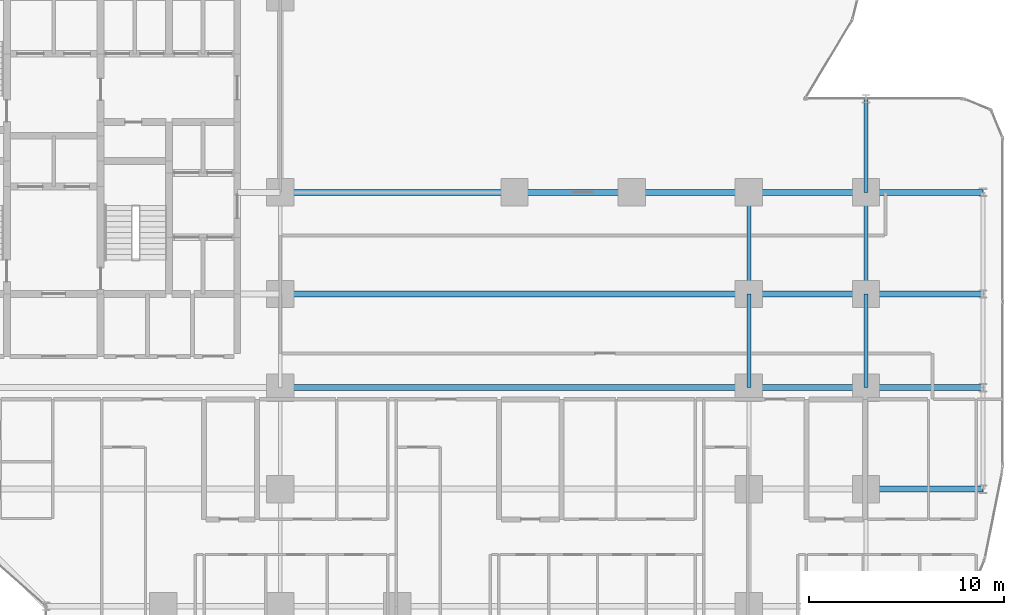
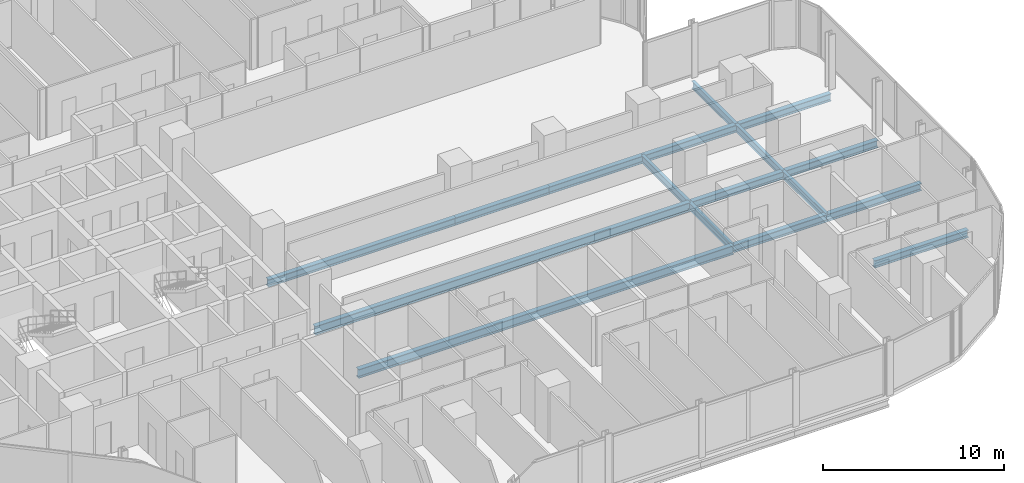
# One storey, part 10 of 33: 17 beams.
"""IFC4 building model written with IfcOpenShell, lengths in metres."""

from ifc_helpers import new_model, si_unit, direction, frame, origin, origin_2d, place, context, subcontext, project, spatial, i_section, extrude, material, material_profile, profile_set, type_object, element, save


model = new_model("IFC4")

# Units and contexts
model_context = context("Model", 3, precision=1e-05, world=origin(), true_north=direction((0.0, 1.0)))
body_context = subcontext(model_context, "Body", "Model", "MODEL_VIEW")
ifc_project = project(units=[si_unit("LENGTHUNIT", "METRE"), si_unit("AREAUNIT", "SQUARE_METRE"), si_unit("VOLUMEUNIT", "CUBIC_METRE"), si_unit("PLANEANGLEUNIT", "RADIAN"), si_unit("MASSUNIT", "GRAM", prefix="KILO")], contexts=[model_context])

# Site, building, storey
site_placement = place(None, origin())
site = spatial("IfcSite", under=ifc_project, at=site_placement, CompositionType="ELEMENT")
building_placement = place(site_placement, origin())
building = spatial("IfcBuilding", under=site, at=building_placement, Name="Keshet Zoharim Tower", CompositionType="ELEMENT")
storey_placement = place(building_placement, frame((0.0, 0.0, 35.10009765625)))
storey = spatial("IfcBuildingStorey", under=building, at=storey_placement, Name="L07", CompositionType="ELEMENT", Elevation=35.10009765625)

# Beams
ifc_material = material(Name="Steel S355", Category="steel")
ifc_material_profile_1 = material_profile(ifc_material, i_section(OverallWidth=0.300048828125, OverallDepth=0.60009765625, WebThickness=0.015380859375, FlangeThickness=0.030029296875, FilletRadius=0.027099609375, at=origin_2d()), Name="HEB600")
ifc_profile_set_1 = profile_set([ifc_material_profile_1], Name="Steel S355")
beam_type_1 = type_object("IfcBeamType", Name="BM-LNG-HB600", PredefinedType="BEAM", material=ifc_profile_set_1)
for number, where, z_axis, x_axis, name in (
    (1, (33.0, 17.89990234375, -0.614990234375), (1.0, 0.0, 0.0), (0.0, 1.0, 0.0), "L07 Primary Girder X-017"),
    (2, (33.0, 22.699951171875, -0.614990234375), (1.0, 0.0, 0.0), (0.0, 1.0, 0.0), "L07 Primary Girder X-020"),
):
    element("IfcBeam", number, at=place(storey_placement, frame(where, z_axis=z_axis, x_axis=x_axis)), inside=storey, type_object=beam_type_1, Name=name, PredefinedType="BEAM", context=body_context, shape_type="SweptSolid", body=[
        extrude(i_section(OverallWidth=0.300048828125, OverallDepth=0.60009765625, WebThickness=0.015380859375, FlangeThickness=0.030029296875, FilletRadius=0.027099609375, at=origin_2d()), origin(), (0.0, 0.0, 1.0), 24.0),
    ])
ifc_material_profile_2 = material_profile(ifc_material, i_section(OverallWidth=0.300048828125, OverallDepth=0.5, WebThickness=0.014404296875, FlangeThickness=0.028076171875, FilletRadius=0.027099609375, at=origin_2d()), Name="HEB500")
ifc_profile_set_2 = profile_set([ifc_material_profile_2], Name="Steel S355")
beam_type_2 = type_object("IfcBeamType", Name="BM-MED-HB500", PredefinedType="BEAM", material=ifc_profile_set_2)
beam_1_placement = place(storey_placement, frame((33.0, 27.89990234375, -0.565185546875), z_axis=(1.0, 0.0, 0.0), x_axis=(0.0, 1.0, 0.0)))
element("IfcBeam", 3, at=beam_1_placement, inside=storey, type_object=beam_type_2, Name="L07 Primary Girder X-023", PredefinedType="BEAM", context=body_context, shape_type="SweptSolid", body=[
    extrude(i_section(OverallWidth=0.300048828125, OverallDepth=0.5, WebThickness=0.014404296875, FlangeThickness=0.028076171875, FilletRadius=0.027099609375, at=origin_2d()), origin(), (0.0, 0.0, 1.0), 12.0),
])
ifc_material_profile_3 = material_profile(ifc_material, i_section(OverallWidth=0.199951171875, OverallDepth=0.5, WebThickness=0.01025390625, FlangeThickness=0.01611328125, FilletRadius=0.02099609375, at=origin_2d()), Name="IPE500")
ifc_profile_set_3 = profile_set([ifc_material_profile_3], Name="Steel S355")
beam_type_3 = type_object("IfcBeamType", Name="BM-PRI-IP500", PredefinedType="BEAM", material=ifc_profile_set_3)
beam_2_placement = place(storey_placement, frame((57.0, 17.89990234375, -0.565185546875), z_axis=(0.0, 1.0, 0.0), x_axis=(-1.0, 0.0, 0.0)))
element("IfcBeam", 4, at=beam_2_placement, inside=storey, type_object=beam_type_3, Name="L07 Primary Girder Y-016", PredefinedType="BEAM", context=body_context, shape_type="SweptSolid", body=[
    extrude(i_section(OverallWidth=0.199951171875, OverallDepth=0.5, WebThickness=0.01025390625, FlangeThickness=0.01611328125, FilletRadius=0.02099609375, at=origin_2d()), origin(), (0.0, 0.0, 1.0), 4.800048828125),
])
beam_3_placement = place(storey_placement, frame((57.0, 22.699951171875, -0.565185546875), z_axis=(0.0, 1.0, 0.0), x_axis=(-1.0, 0.0, 0.0)))
element("IfcBeam", 5, at=beam_3_placement, inside=storey, type_object=beam_type_3, Name="L07 Primary Girder Y-017", PredefinedType="BEAM", context=body_context, shape_type="SweptSolid", body=[
    extrude(i_section(OverallWidth=0.199951171875, OverallDepth=0.5, WebThickness=0.01025390625, FlangeThickness=0.01611328125, FilletRadius=0.02099609375, at=origin_2d()), origin(), (0.0, 0.0, 1.0), 5.199951171875),
])
beam_4_placement = place(storey_placement, frame((63.0, 17.89990234375, -0.565185546875), z_axis=(0.0, 1.0, 0.0), x_axis=(-1.0, 0.0, 0.0)))
element("IfcBeam", 6, at=beam_4_placement, inside=storey, type_object=beam_type_3, Name="L07 Primary Girder Y-020", PredefinedType="BEAM", context=body_context, shape_type="SweptSolid", body=[
    extrude(i_section(OverallWidth=0.199951171875, OverallDepth=0.5, WebThickness=0.01025390625, FlangeThickness=0.01611328125, FilletRadius=0.02099609375, at=origin_2d()), origin(), (0.0, 0.0, 1.0), 4.800048828125),
])
beam_5_placement = place(storey_placement, frame((63.0, 22.699951171875, -0.565185546875), z_axis=(0.0, 1.0, 0.0), x_axis=(-1.0, 0.0, 0.0)))
element("IfcBeam", 7, at=beam_5_placement, inside=storey, type_object=beam_type_3, Name="L07 Primary Girder Y-021", PredefinedType="BEAM", context=body_context, shape_type="SweptSolid", body=[
    extrude(i_section(OverallWidth=0.199951171875, OverallDepth=0.5, WebThickness=0.01025390625, FlangeThickness=0.01611328125, FilletRadius=0.02099609375, at=origin_2d()), origin(), (0.0, 0.0, 1.0), 5.199951171875),
])
beam_6_placement = place(storey_placement, frame((63.0, 27.89990234375, -0.565185546875), z_axis=(0.0, 1.0, 0.0), x_axis=(-1.0, 0.0, 0.0)))
element("IfcBeam", 8, at=beam_6_placement, inside=storey, type_object=beam_type_3, Name="L07 Primary Girder Y-022", PredefinedType="BEAM", context=body_context, shape_type="SweptSolid", body=[
    extrude(i_section(OverallWidth=0.199951171875, OverallDepth=0.5, WebThickness=0.01025390625, FlangeThickness=0.01611328125, FilletRadius=0.02099609375, at=origin_2d()), origin(), (0.0, 0.0, 1.0), 4.800048828125),
])
ifc_material_profile_4 = material_profile(ifc_material, i_section(OverallWidth=0.300048828125, OverallDepth=0.5, WebThickness=0.014404296875, FlangeThickness=0.028076171875, FilletRadius=0.027099609375, at=origin_2d()), Name="HEB500")
ifc_profile_set_4 = profile_set([ifc_material_profile_4], Name="Steel S355")
beam_type_4 = type_object("IfcBeamType", Name="BM-WEB-HB500", PredefinedType="BEAM", material=ifc_profile_set_4)
for number, where, z_axis, x_axis, name in (
    (9, (63.0, 12.699951171875, -0.565185546875), (1.0, 0.0, 0.0), (0.0, 1.0, 0.0), "L07 Primary Girder X-014"),
    (10, (57.0, 17.89990234375, -0.565185546875), (1.0, 0.0, 0.0), (0.0, 1.0, 0.0), "L07 Primary Girder X-018"),
    (11, (63.0, 17.89990234375, -0.565185546875), (1.0, 0.0, 0.0), (0.0, 1.0, 0.0), "L07 Primary Girder X-019"),
    (12, (57.0, 22.699951171875, -0.565185546875), (1.0, 0.0, 0.0), (0.0, 1.0, 0.0), "L07 Primary Girder X-021"),
    (13, (63.0, 22.699951171875, -0.565185546875), (1.0, 0.0, 0.0), (0.0, 1.0, 0.0), "L07 Primary Girder X-022"),
    (14, (45.0, 27.89990234375, -0.565185546875), (1.0, 0.0, 0.0), (0.0, 1.0, 0.0), "L07 Primary Girder X-024"),
    (15, (51.0, 27.89990234375, -0.565185546875), (1.0, 0.0, 0.0), (0.0, 1.0, 0.0), "L07 Primary Girder X-025"),
    (16, (57.0, 27.89990234375, -0.565185546875), (1.0, 0.0, 0.0), (0.0, 1.0, 0.0), "L07 Primary Girder X-026"),
    (17, (63.0, 27.89990234375, -0.565185546875), (1.0, 0.0, 0.0), (0.0, 1.0, 0.0), "L07 Primary Girder X-027"),
):
    element("IfcBeam", number, at=place(storey_placement, frame(where, z_axis=z_axis, x_axis=x_axis)), inside=storey, type_object=beam_type_4, Name=name, PredefinedType="BEAM", context=body_context, shape_type="SweptSolid", body=[
        extrude(i_section(OverallWidth=0.300048828125, OverallDepth=0.5, WebThickness=0.014404296875, FlangeThickness=0.028076171875, FilletRadius=0.027099609375, at=origin_2d()), origin(), (0.0, 0.0, 1.0), 6.0),
    ])

save(model, "model.ifc")
